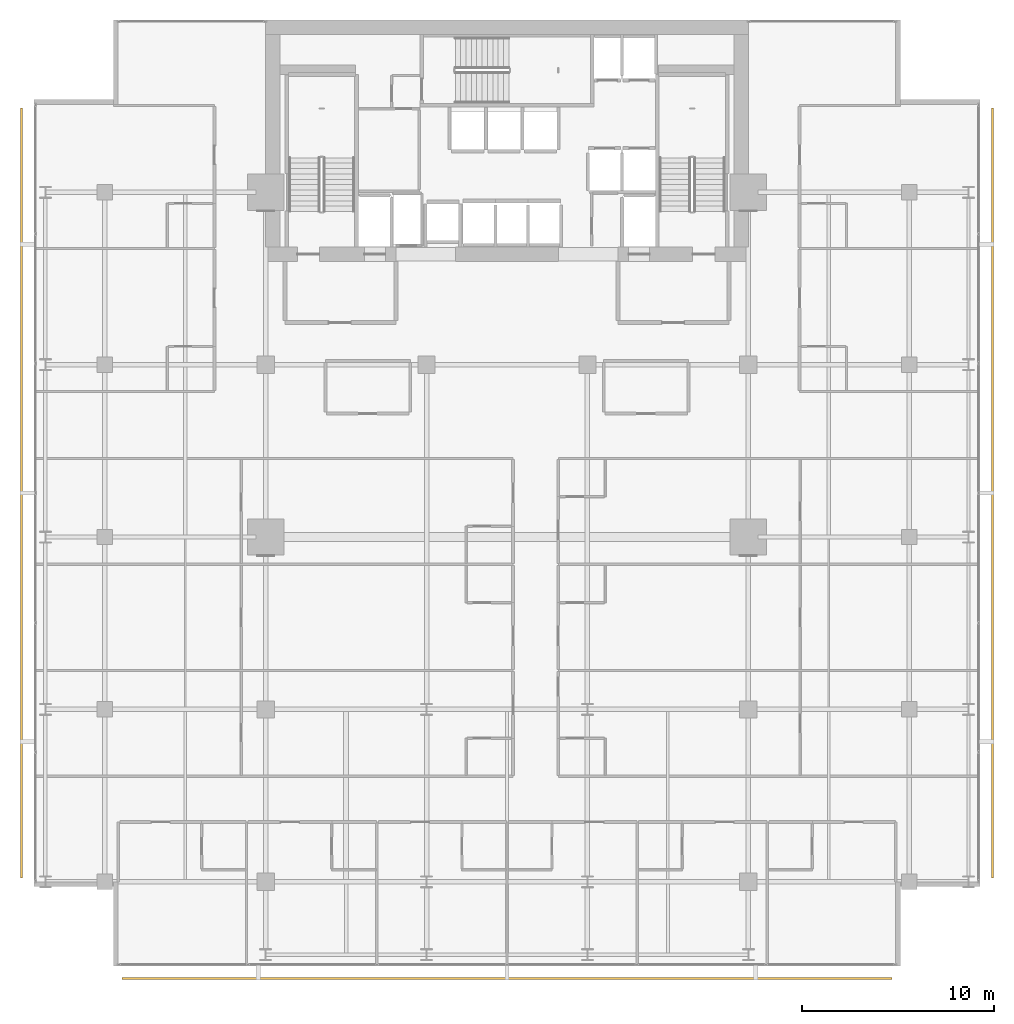
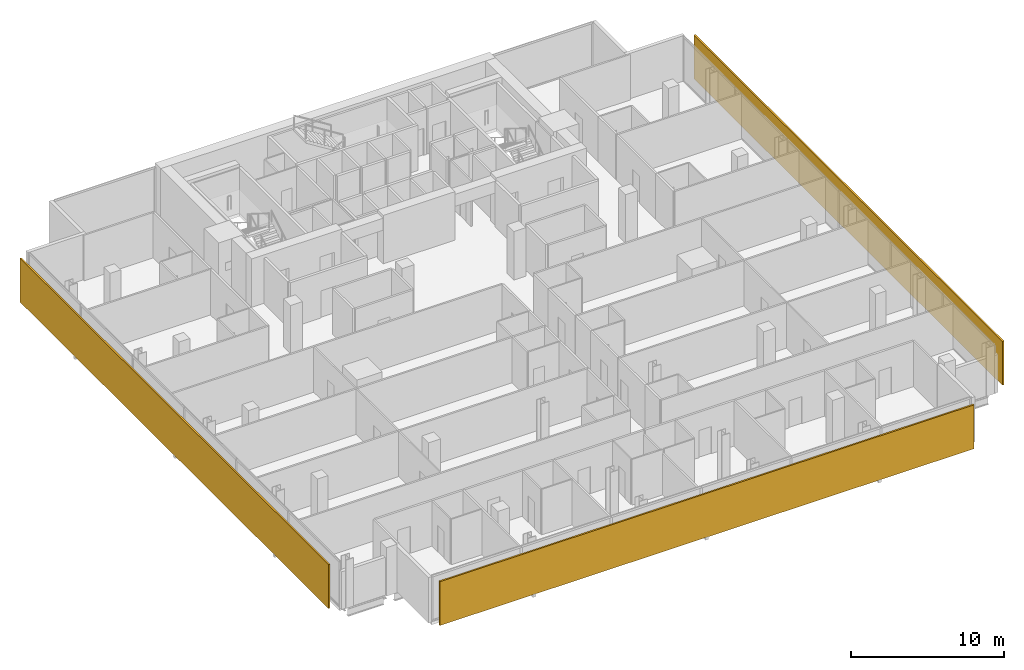
# One storey, part 32 of 33: 3 shading devices.
"""IFC4 building model written with IfcOpenShell, lengths in metres."""

from ifc_helpers import new_model, si_unit, direction, frame, origin, origin_2d, place, context, subcontext, project, spatial, rectangle, extrude, material, layer, layer_set, type_object, element, save


model = new_model("IFC4")

# Units and contexts
model_context = context("Model", 3, precision=1e-05, world=origin(), true_north=direction((0.0, 1.0)))
body_context = subcontext(model_context, "Body", "Model", "MODEL_VIEW")
ifc_project = project(units=[si_unit("LENGTHUNIT", "METRE"), si_unit("AREAUNIT", "SQUARE_METRE"), si_unit("VOLUMEUNIT", "CUBIC_METRE"), si_unit("PLANEANGLEUNIT", "RADIAN"), si_unit("MASSUNIT", "GRAM", prefix="KILO")], contexts=[model_context])

# Site, building, storey
site_placement = place(None, origin())
site = spatial("IfcSite", under=ifc_project, at=site_placement, CompositionType="ELEMENT")
building_placement = place(site_placement, origin())
building = spatial("IfcBuilding", under=site, at=building_placement, Name="Maruvema Waterfront Hotel and Observation Tower", CompositionType="ELEMENT")
storey_placement = place(building_placement, frame((0.0, 0.0, 154.35009765625)))
storey = spatial("IfcBuildingStorey", under=building, at=storey_placement, Name="L37", CompositionType="ELEMENT", Elevation=154.35009765625)

# Shading devices
ifc_material = material(Name="Honed travertine stone and anodised architectural bronze", Category="masonry")
ifc_layer = layer(ifc_material, 0.1201171875, Name="Ventilated Outer Skin Cobogo Stone-and-Bronze Screen 120 mm")
ifc_layer_set = layer_set([ifc_layer], Name="Honed travertine stone and anodised architectural bronze")
shading_device_type = type_object("IfcShadingDeviceType", Name="Ventilated Outer Skin Cobogo Stone-and-Bronze Screen 120 mm", PredefinedType="USERDEFINED", material=ifc_layer_set)
for number, where, z_axis, x_axis, name in (
    (1, (37.800048828125, 3.949951171875, 0.06005859375), (0.0, 0.0, 1.0), (1.0, 0.0, 0.0), "L37 Ventilated Double-Skin Outer Cobogo Screen OS-L37-S"),
    (2, (63.14990234375, 29.300048828125, 0.06005859375), (0.0, 0.0, 1.0), (0.0, 1.0, 0.0), "L37 Ventilated Double-Skin Outer Cobogo Screen OS-L37-E"),
    (3, (12.449951171875, 29.300048828125, 0.06005859375), (0.0, 0.0, 1.0), (0.0, -1.0, 0.0), "L37 Ventilated Double-Skin Outer Cobogo Screen OS-L37-W"),
):
    element("IfcShadingDevice", number, at=place(storey_placement, frame(where, z_axis=z_axis, x_axis=x_axis)), inside=storey, type_object=shading_device_type, Name=name, ObjectType="OUTER SKIN SCREEN", PredefinedType="USERDEFINED", context=body_context, shape_type="SweptSolid", body=[
        extrude(rectangle(XDim=40.199951171875, YDim=0.1201171875, at=origin_2d()), origin(), (0.0, 0.0, 1.0), 3.489990234375),
    ])

save(model, "model.ifc")
